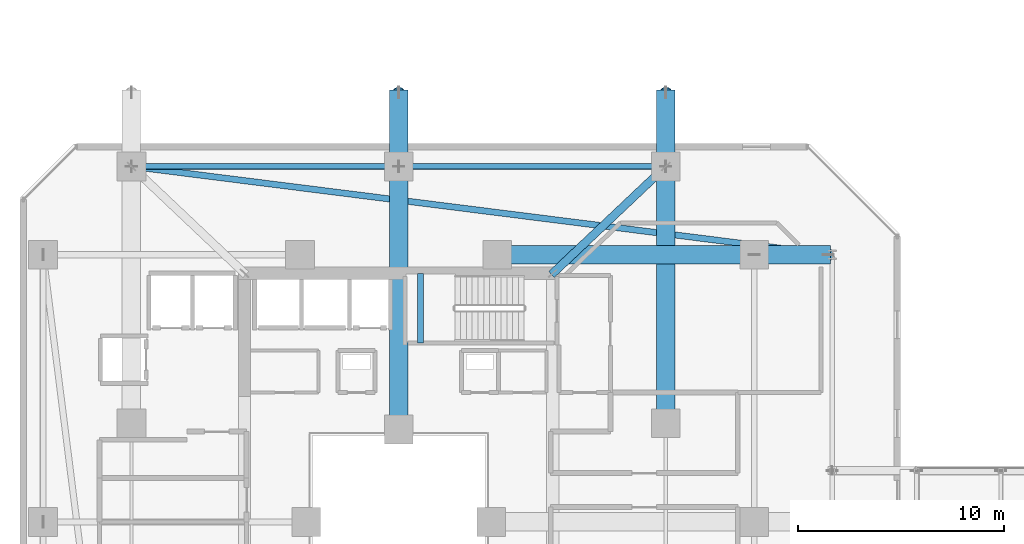
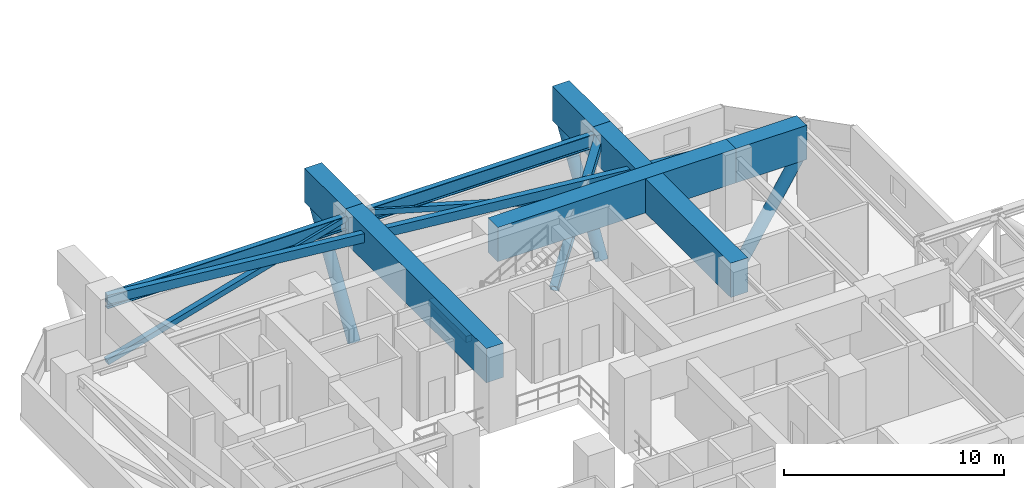
# One storey, part 14 of 38: 10 beams, 6 members.
"""IFC4 building model written with IfcOpenShell, lengths in metres."""

from ifc_helpers import new_model, si_unit, direction, frame, origin, origin_2d, place, context, subcontext, project, spatial, rectangle, hollow_rectangle, hollow_circle, i_section, extrude, material, material_profile, profile_set, type_object, element, save


model = new_model("IFC4")

# Units and contexts
model_context = context("Model", 3, precision=1e-05, world=origin(), true_north=direction((0.0, 1.0)))
body_context = subcontext(model_context, "Body", "Model", "MODEL_VIEW")
ifc_project = project(units=[si_unit("LENGTHUNIT", "METRE"), si_unit("AREAUNIT", "SQUARE_METRE"), si_unit("VOLUMEUNIT", "CUBIC_METRE"), si_unit("PLANEANGLEUNIT", "RADIAN"), si_unit("MASSUNIT", "GRAM", prefix="KILO")], contexts=[model_context])

# Site, building, storey
site_placement = place(None, origin())
site = spatial("IfcSite", under=ifc_project, at=site_placement, CompositionType="ELEMENT")
building_placement = place(site_placement, origin())
building = spatial("IfcBuilding", under=site, at=building_placement, Name="Thornwick Lancets Civic Towers", CompositionType="ELEMENT")
storey_placement = place(building_placement, frame((0.0, 0.0, 71.699951171875)))
storey = spatial("IfcBuildingStorey", under=building, at=storey_placement, Name="L18", CompositionType="ELEMENT", Elevation=71.699951171875)

# Beams
ifc_material_1 = material(Name="Steel S355JR", Category="steel")
ifc_material_profile_1 = material_profile(ifc_material_1, i_section(OverallWidth=0.26806640625, OverallDepth=0.769775390625, WebThickness=0.015625, FlangeThickness=0.025390625, FilletRadius=0.0166015625, at=origin_2d()), Name="UKB 762x267x197")
ifc_profile_set_1 = profile_set([ifc_material_profile_1], Name="Steel S355JR")
beam_type_1 = type_object("IfcBeamType", Name="BM_GIRD_762_197", PredefinedType="BEAM", material=ifc_profile_set_1)
beam_1_placement = place(storey_placement, frame((12.5, 44.300048828125, 3.4951171875), z_axis=(1.0, 0.0, 0.0), x_axis=(0.0, 1.0, 0.0)))
element("IfcBeam", 1, at=beam_1_placement, inside=storey, type_object=beam_type_1, Name="BM-SPINE-L18-A-6-7", PredefinedType="BEAM", context=body_context, shape_type="SweptSolid", body=[
    extrude(i_section(OverallWidth=0.26806640625, OverallDepth=0.769775390625, WebThickness=0.015625, FlangeThickness=0.025390625, FilletRadius=0.0166015625, at=origin_2d()), origin(), (0.0, 0.0, 1.0), 13.0),
])
beam_2_placement = place(storey_placement, frame((25.580078125, 44.300048828125, 3.4951171875), z_axis=(1.0, 0.0, 0.0), x_axis=(0.0, 1.0, 0.0)))
element("IfcBeam", 2, at=beam_2_placement, inside=storey, type_object=beam_type_1, Name="BM-SPINE-L18-A-7-8", PredefinedType="BEAM", context=body_context, shape_type="SweptSolid", body=[
    extrude(i_section(OverallWidth=0.26806640625, OverallDepth=0.769775390625, WebThickness=0.015625, FlangeThickness=0.025390625, FilletRadius=0.0166015625, at=origin_2d()), origin(), (0.0, 0.0, 1.0), 12.919921875),
])
ifc_material_2 = material(Name="Steel S460M", Category="steel")
ifc_material_profile_2 = material_profile(ifc_material_2, hollow_rectangle(XDim=0.300048828125, YDim=0.5, WallThickness=0.02001953125, at=origin_2d()), Name="RHS 500x300x20")
ifc_profile_set_2 = profile_set([ifc_material_profile_2], Name="Steel S460M")
beam_type_2 = type_object("IfcBeamType", Name="BM_RING_RHS500", PredefinedType="BEAM", material=ifc_profile_set_2)
beam_3_placement = place(storey_placement, frame((46.60009765625, 40.0, 3.630126953125), z_axis=(-0.992142878225, 0.12510998836, 0.0), x_axis=(-0.12510998836, -0.992142878225, 0.0)))
element("IfcBeam", 3, at=beam_3_placement, inside=storey, type_object=beam_type_2, Name="BM-CHAMF-L18-A-C1", PredefinedType="BEAM", context=body_context, shape_type="SweptSolid", body=[
    extrude(hollow_rectangle(XDim=0.300048828125, YDim=0.5, WallThickness=0.02001953125, at=origin_2d()), origin(), (0.0, 0.0, 1.0), 34.3701171875),
])
ifc_material_3 = material(Name="Concrete C40/50", Category="concrete")
ifc_material_profile_3 = material_profile(ifc_material_3, rectangle(XDim=0.300048828125, YDim=0.35009765625, at=origin_2d()), Name="RC 300x350")
ifc_profile_set_3 = profile_set([ifc_material_profile_3], Name="Concrete C40/50")
beam_type_3 = type_object("IfcBeamType", Name="BM_STAIR_LDG", PredefinedType="BEAM", material=ifc_profile_set_3)
beam_4_placement = place(storey_placement, frame((26.56494140625, 39.10009765625, 1.677978515625), z_axis=(0.0, -1.0, 0.0), x_axis=(1.0, 0.0, 0.0)))
element("IfcBeam", 4, at=beam_4_placement, inside=storey, type_object=beam_type_3, Name="L18 ST-A2 Landing Support Beam 1", PredefinedType="BEAM", context=body_context, shape_type="SweptSolid", body=[
    extrude(rectangle(XDim=0.300048828125, YDim=0.35009765625, at=origin_2d()), origin(), (0.0, 0.0, 1.0), 3.400146484375),
])
ifc_material_4 = material(Name="Concrete C60/75", Category="concrete")
ifc_material_profile_4 = material_profile(ifc_material_4, rectangle(XDim=0.89990234375, YDim=1.89990234375, at=origin_2d()), Name="RC 900x1900")
ifc_profile_set_4 = profile_set([ifc_material_profile_4], Name="Concrete C60/75")
beam_type_4 = type_object("IfcBeamType", Name="BM_TR_RC1900", PredefinedType="BEAM", material=ifc_profile_set_4)
beam_5_placement = place(storey_placement, frame((30.300048828125, 40.0, 3.25), z_axis=(1.0, 0.0, 0.0), x_axis=(0.0, 1.0, 0.0)))
element("IfcBeam", 5, at=beam_5_placement, inside=storey, type_object=beam_type_4, Name="TG-BACK-L19-A06", PredefinedType="BEAM", context=body_context, shape_type="SweptSolid", body=[
    extrude(rectangle(XDim=0.89990234375, YDim=1.89990234375, at=origin_2d()), origin(), (0.0, 0.0, 1.0), 12.5),
])
beam_6_placement = place(storey_placement, frame((42.800048828125, 40.0, 3.25), z_axis=(1.0, 0.0, 0.0), x_axis=(0.0, 1.0, 0.0)))
element("IfcBeam", 6, at=beam_6_placement, inside=storey, type_object=beam_type_4, Name="TG-CANT-L19-A06", PredefinedType="BEAM", context=body_context, shape_type="SweptSolid", body=[
    extrude(rectangle(XDim=0.89990234375, YDim=1.89990234375, at=origin_2d()), origin(), (0.0, 0.0, 1.0), 3.719970703125),
])
beam_7_placement = place(storey_placement, frame((25.5, 31.5, 3.25), z_axis=(0.0, 1.0, 0.0), x_axis=(-1.0, 0.0, 0.0)))
element("IfcBeam", 7, at=beam_7_placement, inside=storey, type_object=beam_type_4, Name="TG-BACK-L19-A08", PredefinedType="BEAM", context=body_context, shape_type="SweptSolid", body=[
    extrude(rectangle(XDim=0.89990234375, YDim=1.89990234375, at=origin_2d()), origin(), (0.0, 0.0, 1.0), 12.800048828125),
])
beam_8_placement = place(storey_placement, frame((25.5, 44.300048828125, 3.25), z_axis=(0.0, 1.0, 0.0), x_axis=(-1.0, 0.0, 0.0)))
element("IfcBeam", 8, at=beam_8_placement, inside=storey, type_object=beam_type_4, Name="TG-CANT-L19-A08", PredefinedType="BEAM", context=body_context, shape_type="SweptSolid", body=[
    extrude(rectangle(XDim=0.89990234375, YDim=1.89990234375, at=origin_2d()), origin(), (0.0, 0.0, 1.0), 3.719970703125),
])
beam_9_placement = place(storey_placement, frame((38.5, 31.800048828125, 3.25), z_axis=(0.0, 1.0, 0.0), x_axis=(-1.0, 0.0, 0.0)))
element("IfcBeam", 9, at=beam_9_placement, inside=storey, type_object=beam_type_4, Name="TG-BACK-L19-A09", PredefinedType="BEAM", context=body_context, shape_type="SweptSolid", body=[
    extrude(rectangle(XDim=0.89990234375, YDim=1.89990234375, at=origin_2d()), origin(), (0.0, 0.0, 1.0), 12.5),
])
beam_10_placement = place(storey_placement, frame((38.5, 44.300048828125, 3.25), z_axis=(0.0, 1.0, 0.0), x_axis=(-1.0, 0.0, 0.0)))
element("IfcBeam", 10, at=beam_10_placement, inside=storey, type_object=beam_type_4, Name="TG-CANT-L19-A09", PredefinedType="BEAM", context=body_context, shape_type="SweptSolid", body=[
    extrude(rectangle(XDim=0.89990234375, YDim=1.89990234375, at=origin_2d()), origin(), (0.0, 0.0, 1.0), 3.719970703125),
])

# Members
ifc_material_profile_5 = material_profile(ifc_material_2, hollow_rectangle(XDim=0.300048828125, YDim=0.300048828125, WallThickness=0.01611328125, at=origin_2d()), Name="SHS 300x300x16")
ifc_profile_set_5 = profile_set([ifc_material_profile_5], Name="Steel S460M")
member_type_1 = type_object("IfcMemberType", Name="MEM_BELT_SHS300", PredefinedType="BRACE", material=ifc_profile_set_5)
for number, where, z_axis, x_axis, name in (
    (11, (12.5, 44.300048828125, 0.150146484375), (0.961216810803, 0.0, 0.27579384081), (0.0, 1.0, 0.0), "L18 Belt Truss Diagonal A-S2-1"),
    (12, (38.5, 44.300048828125, 0.150146484375), (-0.961216810803, 0.0, 0.27579384081), (0.0, -1.0, 0.0), "L18 Belt Truss Diagonal A-S2-2"),
):
    element("IfcMember", number, at=place(storey_placement, frame(where, z_axis=z_axis, x_axis=x_axis)), inside=storey, type_object=member_type_1, Name=name, PredefinedType="BRACE", context=body_context, shape_type="SweptSolid", body=[
        extrude(hollow_rectangle(XDim=0.300048828125, YDim=0.300048828125, WallThickness=0.01611328125, at=origin_2d()), origin(), (0.0, 0.0, 1.0), 13.5244140625),
    ])
ifc_material_profile_6 = material_profile(ifc_material_2, hollow_rectangle(XDim=0.39990234375, YDim=0.39990234375, WallThickness=0.02001953125, at=origin_2d()), Name="SHS 400x400x20")
ifc_profile_set_6 = profile_set([ifc_material_profile_6], Name="Steel S460M")
member_type_2 = type_object("IfcMemberType", Name="MEM_OUTRIG_SHS400", PredefinedType="BRACE", material=ifc_profile_set_6)
member_placement = place(storey_placement, frame((33.0, 39.10009765625, 0.150146484375), z_axis=(0.651802229136, 0.616243593678, 0.442038106212), x_axis=(-0.687007976126, 0.726649874932, 0.0)))
element("IfcMember", 13, at=member_placement, inside=storey, type_object=member_type_2, Name="L18 Outrigger Brace A-3", PredefinedType="BRACE", context=body_context, shape_type="SweptSolid", body=[
    extrude(hollow_rectangle(XDim=0.39990234375, YDim=0.39990234375, WallThickness=0.02001953125, at=origin_2d()), origin(), (0.0, 0.0, 1.0), 8.438232421875),
])
ifc_material_profile_7 = material_profile(ifc_material_2, hollow_circle(Radius=0.304931640625, WallThickness=0.030029296875, at=origin_2d()), Name="CHS 610x30")
ifc_profile_set_7 = profile_set([ifc_material_profile_7], Name="Steel S460M")
member_type_3 = type_object("IfcMemberType", Name="MEM_STRUT_CHS610", PredefinedType="STRUT", material=ifc_profile_set_7)
for number, where, z_axis, x_axis, name in (
    (14, (42.800048828125, 40.0, -3.349853515625), (0.531975728187, 0.0, 0.846759602614), (0.0, 1.0, 0.0), "L19 Jenga Transfer Raking Strut A06"),
    (15, (25.5, 44.300048828125, -3.349853515625), (0.0, 0.531975728187, 0.846759602614), (-1.0, 0.0, 0.0), "L19 Jenga Transfer Raking Strut A08"),
    (16, (38.5, 44.300048828125, -3.349853515625), (0.0, 0.531975728187, 0.846759602614), (-1.0, 0.0, 0.0), "L19 Jenga Transfer Raking Strut A09"),
):
    element("IfcMember", number, at=place(storey_placement, frame(where, z_axis=z_axis, x_axis=x_axis)), inside=storey, type_object=member_type_3, Name=name, PredefinedType="STRUT", context=body_context, shape_type="SweptSolid", body=[
        extrude(hollow_circle(Radius=0.304931640625, WallThickness=0.030029296875, at=origin_2d()), origin(), (0.0, 0.0, 1.0), 6.766845703125),
    ])

save(model, "model.ifc")
